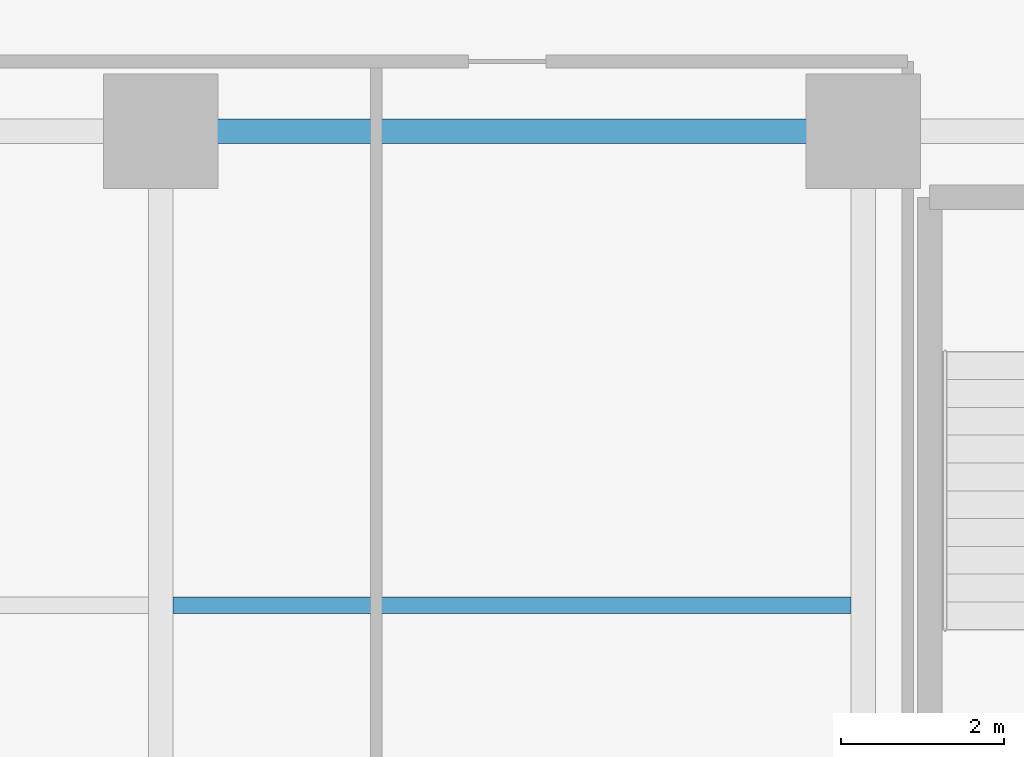
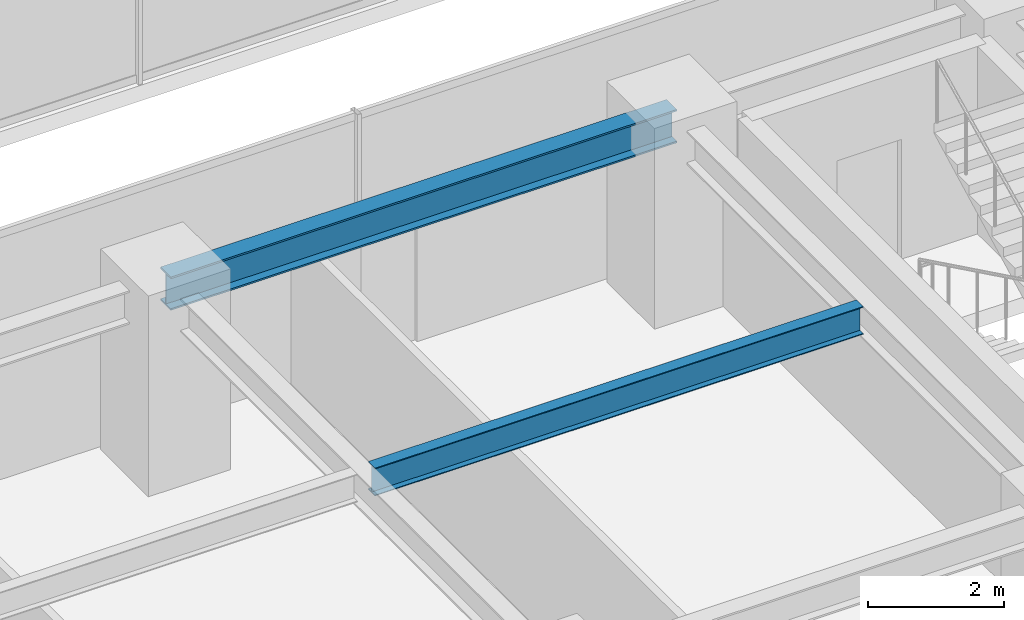
# One storey, part 8 of 43: 2 beams.
"""IFC4 building model written with IfcOpenShell, lengths in metres."""

from ifc_helpers import new_model, si_unit, direction, frame, origin, origin_2d, place, context, subcontext, project, spatial, i_section, extrude, source, transform, mapped, material, material_profile, profile_set, type_object, element, save


model = new_model("IFC4")

# Units and contexts
model_context = context("Model", 3, precision=1e-05, world=origin(), true_north=direction((0.0, 1.0)))
body_context = subcontext(model_context, "Body", "Model", "MODEL_VIEW")
ifc_project = project(units=[si_unit("LENGTHUNIT", "METRE"), si_unit("AREAUNIT", "SQUARE_METRE"), si_unit("VOLUMEUNIT", "CUBIC_METRE"), si_unit("PLANEANGLEUNIT", "RADIAN"), si_unit("MASSUNIT", "GRAM", prefix="KILO")], contexts=[model_context])

# Site, building, storey
site_placement = place(None, origin())
site = spatial("IfcSite", under=ifc_project, at=site_placement, CompositionType="ELEMENT")
building_placement = place(site_placement, origin())
building = spatial("IfcBuilding", under=site, at=building_placement, Name="Nahalor Promenade Grand Hotel", CompositionType="ELEMENT")
storey_placement = place(building_placement, frame((0.0, 0.0, 57.949951171875)))
storey = spatial("IfcBuildingStorey", under=building, at=storey_placement, Name="L13", CompositionType="ELEMENT", Elevation=57.949951171875)

# Beams
ifc_material = material(Name="Steel S355JR", Category="steel")
ifc_material_profile_1 = material_profile(ifc_material, i_section(OverallWidth=0.3, OverallDepth=0.6, WebThickness=0.0155, FlangeThickness=0.03, at=origin_2d()), Name="HEB 600")
ifc_profile_set_1 = profile_set([ifc_material_profile_1], Name="Steel S355JR")
beam_type_1 = type_object("IfcBeamType", Name="Beam-Girder-HEB600", PredefinedType="BEAM", material=ifc_profile_set_1)
shared_shape_1 = source(origin(), body_context, "Body", "SweptSolid", [
    extrude(i_section(OverallWidth=0.3, OverallDepth=0.6, WebThickness=0.0155, FlangeThickness=0.03, at=origin_2d()), origin(), (0.0, 0.0, 1.0), 8.60009765625),
])
beam_1_placement = place(storey_placement, frame((-17.0, -5.39990234375, 3.070068359375), z_axis=(1.0, 0.0, 0.0), x_axis=(0.0, 1.0, 0.0)))
element("IfcBeam", 1, at=beam_1_placement, inside=storey, type_object=beam_type_1, Name="BM-L13-GX-1-1", PredefinedType="BEAM", context=body_context, shape_type="MappedRepresentation", body=[
    mapped(shared_shape_1, transform((0.0, 0.0, 0.0), scale=1.0)),
])
ifc_material_profile_2 = material_profile(ifc_material, i_section(OverallWidth=0.2, OverallDepth=0.5, WebThickness=0.0102, FlangeThickness=0.016, at=origin_2d()), Name="IPE 500")
ifc_profile_set_2 = profile_set([ifc_material_profile_2], Name="Steel S355JR")
beam_type_2 = type_object("IfcBeamType", Name="Beam-Joist-IPE500", PredefinedType="JOIST", material=ifc_profile_set_2)
shared_shape_2 = source(origin(), body_context, "Body", "SweptSolid", [
    extrude(i_section(OverallWidth=0.2, OverallDepth=0.5, WebThickness=0.0102, FlangeThickness=0.016, at=origin_2d()), origin(), (0.0, 0.0, 1.0), 8.300048828125),
])
beam_2_placement = place(storey_placement, frame((-16.85009765625, -11.199951171875, 3.1201171875), z_axis=(1.0, 0.0, 0.0), x_axis=(0.0, 1.0, 0.0)))
element("IfcBeam", 2, at=beam_2_placement, inside=storey, type_object=beam_type_2, Name="BM-L13-JSW-0-1", PredefinedType="JOIST", context=body_context, shape_type="MappedRepresentation", body=[
    mapped(shared_shape_2, transform((0.0, 0.0, 0.0), scale=1.0)),
])

save(model, "model.ifc")
